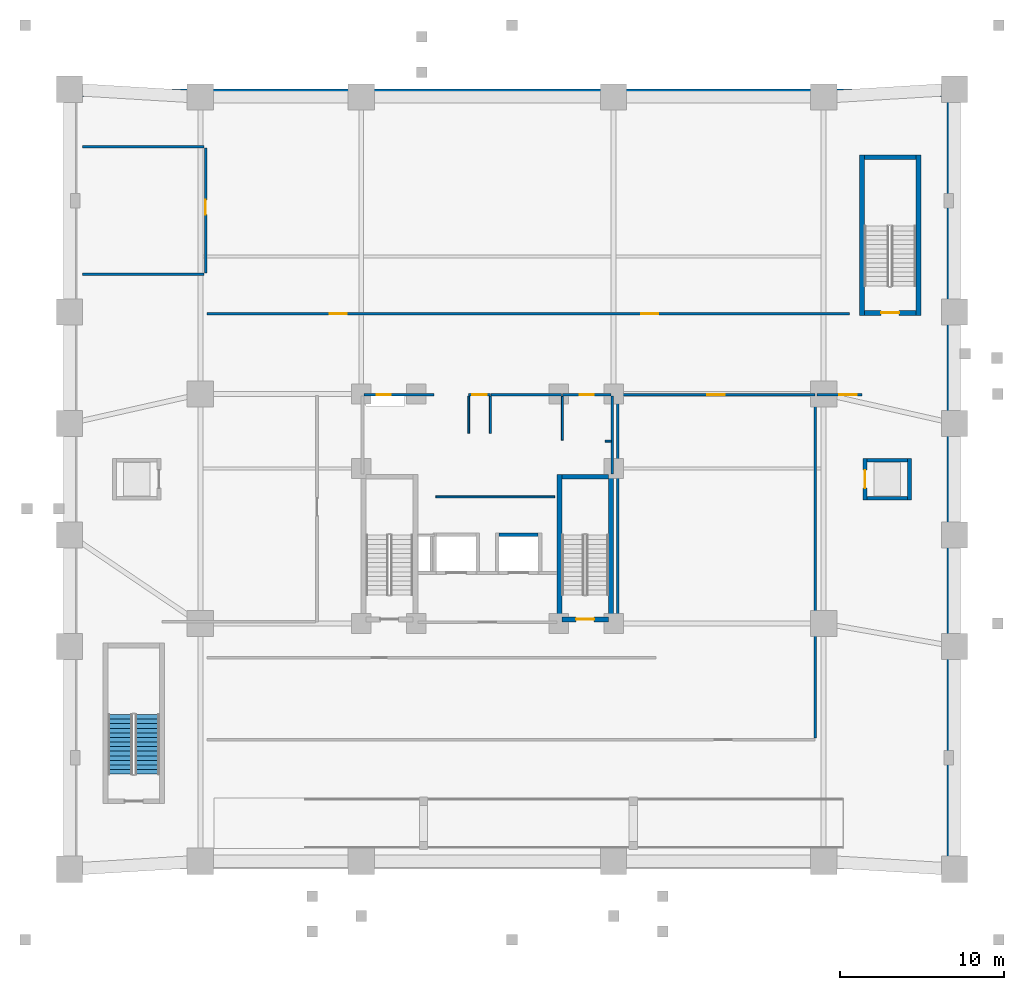
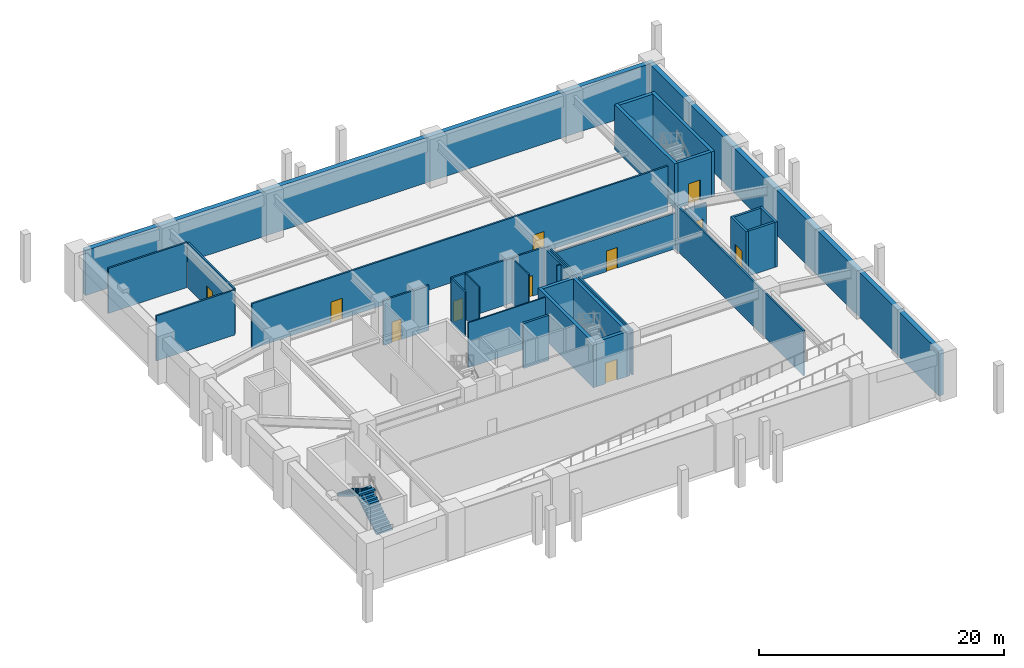
# One storey, part 3 of 8: 33 walls, 11 doors, 2 stair flights, 11 openings, 1 element without a shape of its own.
"""IFC4 building model written with IfcOpenShell, lengths in metres."""

from ifc_helpers import new_model, si_unit, derived_unit, direction, frame, frame_2d, origin, place, context, subcontext, project, spatial, polyline, rectangle, outline, extrude, material, layer, layer_set, type_object, element, fill, aggregate, save


model = new_model("IFC4")

# Units and contexts
model_context = context("Model", 3, precision=1e-05, world=origin(), true_north=direction((0.0, 1.0)))
body_context = subcontext(model_context, "Body", "Model", "MODEL_VIEW")
ifc_project = project(units=[si_unit("LENGTHUNIT", "METRE"), si_unit("AREAUNIT", "SQUARE_METRE"), si_unit("VOLUMEUNIT", "CUBIC_METRE"), si_unit("PLANEANGLEUNIT", "RADIAN"), si_unit("MASSUNIT", "GRAM", prefix="KILO"), derived_unit("THERMALTRANSMITTANCEUNIT", [(si_unit("MASSUNIT", "GRAM", prefix="KILO"), 1), (si_unit("TIMEUNIT", "SECOND"), -3), (si_unit("THERMODYNAMICTEMPERATUREUNIT", "KELVIN"), -1)])], contexts=[model_context])

# Site, building, storey
site_placement = place(None, origin())
site = spatial("IfcSite", under=ifc_project, at=site_placement, CompositionType="ELEMENT")
building_placement = place(site_placement, origin())
building = spatial("IfcBuilding", under=site, at=building_placement, Name="Korrvale Station Residences", CompositionType="ELEMENT")
storey_placement = place(building_placement, frame((0.0, 0.0, -4.800048828125)))
storey = spatial("IfcBuildingStorey", under=building, at=storey_placement, Name="B01", CompositionType="ELEMENT", Elevation=-4.800048828125)

# Walls
ifc_material_1 = material(Name="Concrete C70/85", Category="concrete")
ifc_layer_1 = layer(ifc_material_1, 0.300048828125, Name="Concrete C70/85")
ifc_layer_set_1 = layer_set([ifc_layer_1], Name="Concrete C70/85")
wall_type_1 = type_object("IfcWallType", Name="WAL-CORE-300-C70", PredefinedType="SHEAR", material=ifc_layer_set_1)
for number, where, z_axis, x_axis, name in (
    (1, (29.89990234375, 15.10009765625, 0.0), (0.0, 0.0, 1.0), (0.0, 1.0, 0.0), "B01 ST-2 Core Shear Wall West"),
    (2, (33.050048828125, 15.10009765625, 0.0), (0.0, 0.0, 1.0), (0.0, 1.0, 0.0), "B01 ST-2 Core Shear Wall East"),
):
    element("IfcWall", number, at=place(storey_placement, frame(where, z_axis=z_axis, x_axis=x_axis)), inside=storey, type_object=wall_type_1, Name=name, PredefinedType="SHEAR", context=body_context, shape_type="SweptSolid", body=[
        extrude(rectangle(XDim=9.0, YDim=0.300048828125, at=frame_2d((4.5, 0.0))), origin(), (0.0, 0.0, 1.0), 4.47998046875),
    ])
wall_1_placement = place(storey_placement, frame((30.050048828125, 23.949951171875, 0.0), z_axis=(0.0, 0.0, 1.0), x_axis=(1.0, 0.0, 0.0)))
element("IfcWall", 3, at=wall_1_placement, inside=storey, type_object=wall_type_1, Name="B01 ST-2 Core Shear Wall North", PredefinedType="SHEAR", context=body_context, shape_type="SweptSolid", body=[
    extrude(rectangle(XDim=2.849853515625, YDim=0.300048828125, at=frame_2d((1.4248046875, 0.0))), origin(), (0.0, 0.0, 1.0), 4.47998046875),
])

# Wall, opening, door
wall_2_placement = place(storey_placement, frame((30.050048828125, 15.25, 0.0), z_axis=(0.0, 0.0, 1.0), x_axis=(1.0, 0.0, 0.0)))
wall_2 = element("IfcWall", 4, at=wall_2_placement, inside=storey, type_object=wall_type_1, Name="B01 ST-2 Core Shear Wall South", PredefinedType="SHEAR", context=body_context, shape_type="SweptSolid", body=[
    extrude(rectangle(XDim=2.849853515625, YDim=0.300048828125, at=frame_2d((1.4248046875, 0.0))), origin(), (0.0, 0.0, 1.0), 4.47998046875),
])
opening_1_placement = place(wall_2_placement, frame((0.860107421875, 0.0, 0.0)))
opening_1 = element("IfcOpeningElement", 5, at=opening_1_placement, cuts=wall_2, Name="Opening SD-1100", PredefinedType="OPENING", context=body_context, shape_type="SweptSolid", body=[
    extrude(rectangle(XDim=1.10009765625, YDim=2.050048828125, at=frame_2d((0.550048828125, 1.02490234375))), frame((0.0, 0.16015625, 0.0), z_axis=(0.0, -1.0, 0.0), x_axis=(1.0, 0.0, 0.0)), (0.0, 0.0, 1.0), 0.320068359375),
])
ifc_material_2 = material(Name="Hollow-metal fire-rated stair door with closer", Category="steel")
door_type_1 = type_object("IfcDoorType", Name="DR-STAIR-1100", OperationType="NOTDEFINED", PredefinedType="DOOR", material=ifc_material_2)
door_1_placement = place(opening_1_placement, origin())
door_1 = element("IfcDoor", 6, at=door_1_placement, inside=storey, type_object=door_type_1, Name="B01 ST-2 Exit Stair Door", OperationType="SINGLE_SWING_RIGHT", OverallHeight=2.050048828125, OverallWidth=1.10009765625, PredefinedType="DOOR", context=body_context, shape_type="SweptSolid", body=[
    extrude(rectangle(XDim=1.10009765625, YDim=2.050048828125, at=frame_2d((0.550048828125, 1.02490234375))), frame((0.0, 0.02490234375, 0.0), z_axis=(0.0, -1.0, 0.0), x_axis=(1.0, 0.0, 0.0)), (0.0, 0.0, 1.0), 0.050048828125),
])
fill(opening_1, door_1)

# Walls
for number, where, z_axis, x_axis, name in (
    (7, (48.35009765625, 33.800048828125, 0.0), (0.0, 0.0, 1.0), (0.0, 1.0, 0.0), "B01 ST-4 Core Shear Wall West"),
    (8, (51.800048828125, 33.800048828125, 0.0), (0.0, 0.0, 1.0), (0.0, 1.0, 0.0), "B01 ST-4 Core Shear Wall East"),
):
    element("IfcWall", number, at=place(storey_placement, frame(where, z_axis=z_axis, x_axis=x_axis)), inside=storey, type_object=wall_type_1, Name=name, PredefinedType="SHEAR", context=body_context, shape_type="SweptSolid", body=[
        extrude(rectangle(XDim=9.800048828125, YDim=0.300048828125, at=frame_2d((4.89990234375, 0.0))), origin(), (0.0, 0.0, 1.0), 4.47998046875),
    ])
wall_3_placement = place(storey_placement, frame((48.5, 43.449951171875, 0.0), z_axis=(0.0, 0.0, 1.0), x_axis=(1.0, 0.0, 0.0)))
element("IfcWall", 9, at=wall_3_placement, inside=storey, type_object=wall_type_1, Name="B01 ST-4 Core Shear Wall North", PredefinedType="SHEAR", context=body_context, shape_type="SweptSolid", body=[
    extrude(rectangle(XDim=3.14990234375, YDim=0.300048828125, at=frame_2d((1.574951171875, 0.0))), origin(), (0.0, 0.0, 1.0), 4.47998046875),
])

# Wall, opening, door
wall_4_placement = place(storey_placement, frame((48.5, 33.949951171875, 0.0), z_axis=(0.0, 0.0, 1.0), x_axis=(1.0, 0.0, 0.0)))
wall_4 = element("IfcWall", 10, at=wall_4_placement, inside=storey, type_object=wall_type_1, Name="B01 ST-4 Core Shear Wall South", PredefinedType="SHEAR", context=body_context, shape_type="SweptSolid", body=[
    extrude(rectangle(XDim=3.14990234375, YDim=0.300048828125, at=frame_2d((1.574951171875, 0.0))), origin(), (0.0, 0.0, 1.0), 4.47998046875),
])
opening_2_placement = place(wall_4_placement, frame((1.02001953125, 0.0, 0.0)))
opening_2 = element("IfcOpeningElement", 11, at=opening_2_placement, cuts=wall_4, Name="Opening SD-1100", PredefinedType="OPENING", context=body_context, shape_type="SweptSolid", body=[
    extrude(rectangle(XDim=1.10009765625, YDim=2.050048828125, at=frame_2d((0.550048828125, 1.02490234375))), frame((0.0, 0.16015625, 0.0), z_axis=(0.0, -1.0, 0.0), x_axis=(1.0, 0.0, 0.0)), (0.0, 0.0, 1.0), 0.320068359375),
])
door_2_placement = place(opening_2_placement, origin())
door_2 = element("IfcDoor", 12, at=door_2_placement, inside=storey, type_object=door_type_1, Name="B01 ST-4 Exit Stair Door", OperationType="SINGLE_SWING_RIGHT", OverallHeight=2.050048828125, OverallWidth=1.10009765625, PredefinedType="DOOR", context=body_context, shape_type="SweptSolid", body=[
    extrude(rectangle(XDim=1.10009765625, YDim=2.050048828125, at=frame_2d((0.550048828125, 1.02490234375))), frame((0.0, 0.02490234375, 0.0), z_axis=(0.0, -1.0, 0.0), x_axis=(1.0, 0.0, 0.0)), (0.0, 0.0, 1.0), 0.050048828125),
])
fill(opening_2, door_2)

# Walls
ifc_material_3 = material(Name="Acoustic steel-stud gypsum board partition", Category="steel")
ifc_layer_2 = layer(ifc_material_3, 0.1201171875, Name="Acoustic steel-stud gypsum board partition")
ifc_layer_set_2 = layer_set([ifc_layer_2], Name="Acoustic steel-stud gypsum board partition")
wall_type_2 = type_object("IfcWallType", Name="WAL-PART-125", PredefinedType="PARTITIONING", material=ifc_layer_set_2)
for number, where, z_axis, x_axis, name in (
    (13, (24.360107421875, 26.60009765625, 0.0), (0.0, 0.0, 1.0), (0.0, 1.0, 0.0), "B01 Core Partition CW-PSG-W"),
    (14, (25.679931640625, 26.60009765625, 0.0), (0.0, 0.0, 1.0), (0.0, 1.0, 0.0), "B01 Core Partition CW-PSG-E"),
):
    element("IfcWall", number, at=place(storey_placement, frame(where, z_axis=z_axis, x_axis=x_axis)), inside=storey, type_object=wall_type_2, Name=name, PredefinedType="PARTITIONING", context=body_context, shape_type="SweptSolid", body=[
        extrude(rectangle(XDim=2.27001953125, YDim=0.1201171875, at=frame_2d((1.135009765625, 0.0))), origin(), (0.0, 0.0, 1.0), 4.47998046875),
    ])
wall_5_placement = place(storey_placement, frame((30.080078125, 26.179931640625, 0.0), z_axis=(0.0, 0.0, 1.0), x_axis=(0.0, 1.0, 0.0)))
element("IfcWall", 15, at=wall_5_placement, inside=storey, type_object=wall_type_2, Name="B01 Core Partition CW-CS-W", PredefinedType="PARTITIONING", context=body_context, shape_type="SweptSolid", body=[
    extrude(rectangle(XDim=2.68017578125, YDim=0.1201171875, at=frame_2d((1.340087890625, 0.0))), origin(), (0.0, 0.0, 1.0), 4.47998046875),
])
wall_6_placement = place(storey_placement, frame((32.679931640625, 26.1201171875, 0.0), z_axis=(0.0, 0.0, 1.0), x_axis=(1.0, 0.0, 0.0)))
element("IfcWall", 16, at=wall_6_placement, inside=storey, type_object=wall_type_2, Name="B01 Core Partition CW-CS-S", PredefinedType="PARTITIONING", context=body_context, shape_type="SweptSolid", body=[
    extrude(rectangle(XDim=0.380126953125, YDim=0.1201171875, at=frame_2d((0.18994140625, 0.0))), origin(), (0.0, 0.0, 1.0), 4.47998046875),
])
wall_7_placement = place(storey_placement, frame((22.35009765625, 22.719970703125, 0.0), z_axis=(0.0, 0.0, 1.0), x_axis=(1.0, 0.0, 0.0)))
element("IfcWall", 17, at=wall_7_placement, inside=storey, type_object=wall_type_2, Name="B01 Core Partition CW-BM-M", PredefinedType="PARTITIONING", context=body_context, shape_type="SweptSolid", body=[
    extrude(rectangle(XDim=7.25, YDim=0.1201171875, at=frame_2d((3.625, 0.0))), origin(), (0.0, 0.0, 1.0), 4.47998046875),
])
ifc_material_4 = material(Name="Fire-rated twin-stud gypsum and mineral wool shaftwall assembly", Category="gypsum")
ifc_layer_3 = layer(ifc_material_4, 0.159912109375, Name="Fire-rated twin-stud gypsum and mineral wool shaftwall assembly")
ifc_layer_set_3 = layer_set([ifc_layer_3], Name="Fire-rated twin-stud gypsum and mineral wool shaftwall assembly")
wall_type_3 = type_object("IfcWallType", Name="WAL-PART-200", PredefinedType="PARTITIONING", material=ifc_layer_set_3)
wall_8_placement = place(storey_placement, frame((33.1201171875, 24.1201171875, 0.0), z_axis=(0.0, 0.0, 1.0), x_axis=(0.0, 1.0, 0.0)))
element("IfcWall", 18, at=wall_8_placement, inside=storey, type_object=wall_type_3, Name="B01 Core Partition CW-E-N", PredefinedType="PARTITIONING", context=body_context, shape_type="SweptSolid", body=[
    extrude(rectangle(XDim=4.759765625, YDim=0.159912109375, at=frame_2d((2.3798828125, 0.0))), origin(), (0.0, 0.0, 1.0), 4.47998046875),
])

# Wall, opening, door
wall_9_placement = place(storey_placement, frame((24.360107421875, 28.949951171875, 0.0), z_axis=(0.0, 0.0, 1.0), x_axis=(1.0, 0.0, 0.0)))
wall_9 = element("IfcWall", 19, at=wall_9_placement, inside=storey, type_object=wall_type_3, Name="B01 Core Partition CW-LLOB-N", PredefinedType="PARTITIONING", context=body_context, shape_type="SweptSolid", body=[
    extrude(rectangle(XDim=1.31982421875, YDim=0.159912109375, at=frame_2d((0.659912109375, 0.0))), origin(), (0.0, 0.0, 1.0), 4.47998046875),
])
opening_3_placement = place(wall_9_placement, frame((0.2099609375, 0.0, 0.0)))
opening_3 = element("IfcOpeningElement", 20, at=opening_3_placement, cuts=wall_9, Name="Opening DI-900", PredefinedType="OPENING", context=body_context, shape_type="SweptSolid", body=[
    extrude(rectangle(XDim=0.89990234375, YDim=2.050048828125, at=frame_2d((0.449951171875, 1.02490234375))), frame((0.0, 0.08984375, 0.0), z_axis=(0.0, -1.0, 0.0), x_axis=(1.0, 0.0, 0.0)), (0.0, 0.0, 1.0), 0.179931640625),
])
ifc_material_5 = material(Name="Painted solid-core timber interior room door", Category="wood")
door_type_2 = type_object("IfcDoorType", Name="DR-INT-900", OperationType="NOTDEFINED", PredefinedType="DOOR", material=ifc_material_5)
door_3_placement = place(opening_3_placement, origin())
door_3 = element("IfcDoor", 21, at=door_3_placement, inside=storey, type_object=door_type_2, Name="B01 Central Hallway North Passage Door", OperationType="SINGLE_SWING_RIGHT", OverallHeight=2.050048828125, OverallWidth=0.89990234375, PredefinedType="DOOR", context=body_context, shape_type="SweptSolid", body=[
    extrude(rectangle(XDim=0.89990234375, YDim=2.050048828125, at=frame_2d((0.449951171875, 1.02490234375))), frame((0.0, 0.02490234375, 0.0), z_axis=(0.0, -1.0, 0.0), x_axis=(1.0, 0.0, 0.0)), (0.0, 0.0, 1.0), 0.050048828125),
])
fill(opening_3, door_3)

wall_10_placement = place(storey_placement, frame((17.9599609375, 28.949951171875, 0.0), z_axis=(0.0, 0.0, 1.0), x_axis=(1.0, 0.0, 0.0)))
wall_10 = element("IfcWall", 22, at=wall_10_placement, inside=storey, type_object=wall_type_3, Name="B01 Core Partition CW-NW", PredefinedType="PARTITIONING", context=body_context, shape_type="SweptSolid", body=[
    extrude(rectangle(XDim=4.2900390625, YDim=0.159912109375, at=frame_2d((2.14501953125, 0.0))), origin(), (0.0, 0.0, 1.0), 4.47998046875),
])
opening_4_placement = place(wall_10_placement, frame((0.794921875, 0.0, 0.0)))
opening_4 = element("IfcOpeningElement", 23, at=opening_4_placement, cuts=wall_10, Name="Opening DB-860", PredefinedType="OPENING", context=body_context, shape_type="SweptSolid", body=[
    extrude(rectangle(XDim=0.860107421875, YDim=2.050048828125, at=frame_2d((0.43017578125, 1.02490234375))), frame((0.0, 0.08984375, 0.0), z_axis=(0.0, -1.0, 0.0), x_axis=(1.0, 0.0, 0.0)), (0.0, 0.0, 1.0), 0.179931640625),
])
ifc_material_6 = material(Name="Moisture-resistant solid-core bathroom door", Category="timber")
door_type_3 = type_object("IfcDoorType", Name="DR-BATH-860", OperationType="NOTDEFINED", PredefinedType="DOOR", material=ifc_material_6)
door_4_placement = place(opening_4_placement, origin())
door_4 = element("IfcDoor", 24, at=door_4_placement, inside=storey, type_object=door_type_3, Name="B01 Electrical Riser Access Door", OperationType="SINGLE_SWING_LEFT", OverallHeight=2.050048828125, OverallWidth=0.860107421875, PredefinedType="DOOR", context=body_context, shape_type="SweptSolid", body=[
    extrude(rectangle(XDim=0.860107421875, YDim=2.050048828125, at=frame_2d((0.43017578125, 1.02490234375))), frame((0.0, 0.02490234375, 0.0), z_axis=(0.0, -1.0, 0.0), x_axis=(1.0, 0.0, 0.0)), (0.0, 0.0, 1.0), 0.050048828125),
])
fill(opening_4, door_4)

wall_11_placement = place(storey_placement, frame((30.080078125, 28.949951171875, 0.0), z_axis=(0.0, 0.0, 1.0), x_axis=(1.0, 0.0, 0.0)))
wall_11 = element("IfcWall", 25, at=wall_11_placement, inside=storey, type_object=wall_type_3, Name="B01 Core Partition CW-CS-N", PredefinedType="PARTITIONING", context=body_context, shape_type="SweptSolid", body=[
    extrude(rectangle(XDim=2.9599609375, YDim=0.159912109375, at=frame_2d((1.47998046875, 0.0))), origin(), (0.0, 0.0, 1.0), 4.47998046875),
])
opening_5_placement = place(wall_11_placement, frame((1.044921875, 0.0, 0.0)))
opening_5 = element("IfcOpeningElement", 26, at=opening_5_placement, cuts=wall_11, Name="Opening DB-860", PredefinedType="OPENING", context=body_context, shape_type="SweptSolid", body=[
    extrude(rectangle(XDim=0.860107421875, YDim=2.050048828125, at=frame_2d((0.43017578125, 1.02490234375))), frame((0.0, 0.08984375, 0.0), z_axis=(0.0, -1.0, 0.0), x_axis=(1.0, 0.0, 0.0)), (0.0, 0.0, 1.0), 0.179931640625),
])
door_5_placement = place(opening_5_placement, origin())
door_5 = element("IfcDoor", 27, at=door_5_placement, inside=storey, type_object=door_type_3, Name="B01 Core Equipment Room Door", OperationType="SINGLE_SWING_RIGHT", OverallHeight=2.050048828125, OverallWidth=0.860107421875, PredefinedType="DOOR", context=body_context, shape_type="SweptSolid", body=[
    extrude(rectangle(XDim=0.860107421875, YDim=2.050048828125, at=frame_2d((0.43017578125, 1.02490234375))), frame((0.0, 0.02490234375, 0.0), z_axis=(0.0, -1.0, 0.0), x_axis=(1.0, 0.0, 0.0)), (0.0, 0.0, 1.0), 0.050048828125),
])
fill(opening_5, door_5)

# Wall
wall_12_placement = place(storey_placement, frame((25.719970703125, 28.949951171875, 0.0), z_axis=(0.0, 0.0, 1.0), x_axis=(1.0, 0.0, 0.0)))
element("IfcWall", 28, at=wall_12_placement, inside=storey, type_object=wall_type_3, Name="B01 Core Partition CW-BM-N", PredefinedType="PARTITIONING", context=body_context, shape_type="SweptSolid", body=[
    extrude(rectangle(XDim=4.300048828125, YDim=0.159912109375, at=frame_2d((2.14990234375, 0.0))), origin(), (0.0, 0.0, 1.0), 4.47998046875),
])

# Wall, openings, doors
wall_13_placement = place(storey_placement, frame((8.39990234375, 33.89990234375, 0.0), z_axis=(0.0, 0.0, 1.0), x_axis=(1.0, 0.0, 0.0)))
wall_13 = element("IfcWall", 29, at=wall_13_placement, inside=storey, type_object=wall_type_3, Name="B01 Interior Partition W-SMC", PredefinedType="PARTITIONING", context=body_context, shape_type="SweptSolid", body=[
    extrude(rectangle(XDim=39.2001953125, YDim=0.159912109375, at=frame_2d((19.60009765625, 0.0))), origin(), (0.0, 0.0, 1.0), 4.47998046875),
])
opening_6_placement = place(wall_13_placement, frame((7.47509765625, 0.0, 0.0)))
opening_6 = element("IfcOpeningElement", 30, at=opening_6_placement, cuts=wall_13, Name="Opening FD-1050", PredefinedType="OPENING", context=body_context, shape_type="SweptSolid", body=[
    extrude(rectangle(XDim=1.050048828125, YDim=2.050048828125, at=frame_2d((0.52490234375, 1.02490234375))), frame((0.0, 0.08984375, 0.0), z_axis=(0.0, -1.0, 0.0), x_axis=(1.0, 0.0, 0.0)), (0.0, 0.0, 1.0), 0.179931640625),
])
opening_7_placement = place(wall_13_placement, frame((26.47509765625, 0.0, 0.0)))
opening_7 = element("IfcOpeningElement", 31, at=opening_7_placement, cuts=wall_13, Name="Opening FD-1050", PredefinedType="OPENING", context=body_context, shape_type="SweptSolid", body=[
    extrude(rectangle(XDim=1.050048828125, YDim=2.050048828125, at=frame_2d((0.52490234375, 1.02490234375))), frame((0.0, 0.08984375, 0.0), z_axis=(0.0, -1.0, 0.0), x_axis=(1.0, 0.0, 0.0)), (0.0, 0.0, 1.0), 0.179931640625),
])
ifc_material_7 = material(Name="Fire-rated mineral-core timber lobby door", Category="wood")
door_type_4 = type_object("IfcDoorType", Name="DR-CORE-1050", OperationType="NOTDEFINED", PredefinedType="DOOR", material=ifc_material_7)
door_6_placement = place(opening_6_placement, origin())
door_6 = element("IfcDoor", 32, at=door_6_placement, inside=storey, type_object=door_type_4, Name="B01 Subway Concourse West Fire Door", OperationType="SINGLE_SWING_LEFT", OverallHeight=2.050048828125, OverallWidth=1.050048828125, PredefinedType="DOOR", context=body_context, shape_type="SweptSolid", body=[
    extrude(rectangle(XDim=1.050048828125, YDim=2.050048828125, at=frame_2d((0.52490234375, 1.02490234375))), frame((0.0, 0.02490234375, 0.0), z_axis=(0.0, -1.0, 0.0), x_axis=(1.0, 0.0, 0.0)), (0.0, 0.0, 1.0), 0.050048828125),
])
fill(opening_6, door_6)
door_7_placement = place(opening_7_placement, origin())
door_7 = element("IfcDoor", 33, at=door_7_placement, inside=storey, type_object=door_type_4, Name="B01 Subway Concourse East Fire Door", OperationType="SINGLE_SWING_RIGHT", OverallHeight=2.050048828125, OverallWidth=1.050048828125, PredefinedType="DOOR", context=body_context, shape_type="SweptSolid", body=[
    extrude(rectangle(XDim=1.050048828125, YDim=2.050048828125, at=frame_2d((0.52490234375, 1.02490234375))), frame((0.0, 0.02490234375, 0.0), z_axis=(0.0, -1.0, 0.0), x_axis=(1.0, 0.0, 0.0)), (0.0, 0.0, 1.0), 0.050048828125),
])
fill(opening_7, door_7)

# Wall, opening, door
wall_14_placement = place(storey_placement, frame((8.300048828125, 36.39990234375, 0.0), z_axis=(0.0, 0.0, 1.0), x_axis=(0.0, 1.0, 0.0)))
wall_14 = element("IfcWall", 34, at=wall_14_placement, inside=storey, type_object=wall_type_3, Name="B01 Interior Partition W-SWC-E", PredefinedType="PARTITIONING", context=body_context, shape_type="SweptSolid", body=[
    extrude(rectangle(XDim=7.60009765625, YDim=0.159912109375, at=frame_2d((3.800048828125, 0.0))), origin(), (0.0, 0.0, 1.0), 4.47998046875),
])
opening_8_placement = place(wall_14_placement, frame((3.550048828125, 0.0, 0.0)))
opening_8 = element("IfcOpeningElement", 35, at=opening_8_placement, cuts=wall_14, Name="Opening DI-900", PredefinedType="OPENING", context=body_context, shape_type="SweptSolid", body=[
    extrude(rectangle(XDim=0.89990234375, YDim=2.050048828125, at=frame_2d((0.449951171875, 1.02490234375))), frame((0.0, 0.08984375, 0.0), z_axis=(0.0, -1.0, 0.0), x_axis=(1.0, 0.0, 0.0)), (0.0, 0.0, 1.0), 0.179931640625),
])
door_8_placement = place(opening_8_placement, origin())
door_8 = element("IfcDoor", 36, at=door_8_placement, inside=storey, type_object=door_type_2, Name="B01 Subway Washrooms Door", OperationType="SINGLE_SWING_LEFT", OverallHeight=2.050048828125, OverallWidth=0.89990234375, PredefinedType="DOOR", context=body_context, shape_type="SweptSolid", body=[
    extrude(rectangle(XDim=0.89990234375, YDim=2.050048828125, at=frame_2d((0.449951171875, 1.02490234375))), frame((0.0, 0.02490234375, 0.0), z_axis=(0.0, -1.0, 0.0), x_axis=(1.0, 0.0, 0.0)), (0.0, 0.0, 1.0), 0.050048828125),
])
fill(opening_8, door_8)

# Walls
for number, where, z_axis, x_axis, name in (
    (37, (0.800048828125, 44.10009765625, 0.0), (0.0, 0.0, 1.0), (1.0, 0.0, 0.0), "B01 Interior Partition W-SWC-N"),
    (38, (0.800048828125, 36.300048828125, 0.0), (0.0, 0.0, 1.0), (1.0, 0.0, 0.0), "B01 Interior Partition W-SWC-S"),
):
    element("IfcWall", number, at=place(storey_placement, frame(where, z_axis=z_axis, x_axis=x_axis)), inside=storey, type_object=wall_type_3, Name=name, PredefinedType="PARTITIONING", context=body_context, shape_type="SweptSolid", body=[
        extrude(rectangle(XDim=7.39990234375, YDim=0.159912109375, at=frame_2d((3.699951171875, 0.0))), origin(), (0.0, 0.0, 1.0), 4.47998046875),
    ])

# Wall, opening, door
wall_15_placement = place(storey_placement, frame((33.449951171875, 28.949951171875, 0.0), z_axis=(0.0, 0.0, 1.0), x_axis=(1.0, 0.0, 0.0)))
wall_15 = element("IfcWall", 39, at=wall_15_placement, inside=storey, type_object=wall_type_3, Name="B01 Interior Partition W-LDK-N", PredefinedType="PARTITIONING", context=body_context, shape_type="SweptSolid", body=[
    extrude(rectangle(XDim=12.050048828125, YDim=0.159912109375, at=frame_2d((6.02490234375, 0.0))), origin(), (0.0, 0.0, 1.0), 3.56494140625),
])
opening_9_placement = place(wall_15_placement, frame((5.47509765625, 0.0, 0.0)))
opening_9 = element("IfcOpeningElement", 40, at=opening_9_placement, cuts=wall_15, Name="Opening FD-1050", PredefinedType="OPENING", context=body_context, shape_type="SweptSolid", body=[
    extrude(rectangle(XDim=1.050048828125, YDim=2.050048828125, at=frame_2d((0.52490234375, 1.02490234375))), frame((0.0, 0.08984375, 0.0), z_axis=(0.0, -1.0, 0.0), x_axis=(1.0, 0.0, 0.0)), (0.0, 0.0, 1.0), 0.179931640625),
])
door_9_placement = place(opening_9_placement, origin())
door_9 = element("IfcDoor", 41, at=door_9_placement, inside=storey, type_object=door_type_4, Name="B01 Loading Dock Fire Door", OperationType="SINGLE_SWING_LEFT", OverallHeight=2.050048828125, OverallWidth=1.050048828125, PredefinedType="DOOR", context=body_context, shape_type="SweptSolid", body=[
    extrude(rectangle(XDim=1.050048828125, YDim=2.050048828125, at=frame_2d((0.52490234375, 1.02490234375))), frame((0.0, 0.02490234375, 0.0), z_axis=(0.0, -1.0, 0.0), x_axis=(1.0, 0.0, 0.0)), (0.0, 0.0, 1.0), 0.050048828125),
])
fill(opening_9, door_9)

# Walls
wall_16_placement = place(storey_placement, frame((33.449951171875, 15.10009765625, 0.0), z_axis=(0.0, 0.0, 1.0), x_axis=(0.0, 1.0, 0.0)))
element("IfcWall", 42, at=wall_16_placement, inside=storey, type_object=wall_type_3, Name="B01 Interior Partition W-LDK-W", PredefinedType="PARTITIONING", context=body_context, shape_type="SweptSolid", body=[
    extrude(rectangle(XDim=13.77978515625, YDim=0.159912109375, at=frame_2d((6.889892578125, 0.0))), origin(), (0.0, 0.0, 1.0), 4.47998046875),
])
wall_17_placement = place(storey_placement, frame((45.5, 8.0, 0.0), z_axis=(0.0, 0.0, 1.0), x_axis=(0.0, 1.0, 0.0)))
element("IfcWall", 43, at=wall_17_placement, inside=storey, type_object=wall_type_3, Name="B01 Interior Partition W-MEP-W", PredefinedType="PARTITIONING", context=body_context, shape_type="SweptSolid", body=[
    extrude(rectangle(XDim=20.949951171875, YDim=0.159912109375, at=frame_2d((10.47509765625, 0.0))), origin(), (0.0, 0.0, 1.0), 4.47998046875),
])

# Wall, opening, door
wall_18_placement = place(storey_placement, frame((45.60009765625, 28.949951171875, 0.0), z_axis=(0.0, 0.0, 1.0), x_axis=(1.0, 0.0, 0.0)))
wall_18 = element("IfcWall", 44, at=wall_18_placement, inside=storey, type_object=wall_type_3, Name="B01 Interior Partition W-MEP-N", PredefinedType="PARTITIONING", context=body_context, shape_type="SweptSolid", body=[
    extrude(rectangle(XDim=2.75, YDim=0.159912109375, at=frame_2d((1.375, 0.0))), origin(), (0.0, 0.0, 1.0), 3.56494140625),
])
opening_10_placement = place(wall_18_placement, frame((1.3798828125, 0.0, 0.0)))
opening_10 = element("IfcOpeningElement", 45, at=opening_10_placement, cuts=wall_18, Name="Opening FD-1050", PredefinedType="OPENING", context=body_context, shape_type="SweptSolid", body=[
    extrude(rectangle(XDim=1.050048828125, YDim=2.050048828125, at=frame_2d((0.52490234375, 1.02490234375))), frame((0.0, 0.08984375, 0.0), z_axis=(0.0, -1.0, 0.0), x_axis=(1.0, 0.0, 0.0)), (0.0, 0.0, 1.0), 0.179931640625),
])
door_10_placement = place(opening_10_placement, origin())
door_10 = element("IfcDoor", 46, at=door_10_placement, inside=storey, type_object=door_type_4, Name="B01 Subway Fan Plant Door", OperationType="SINGLE_SWING_RIGHT", OverallHeight=2.050048828125, OverallWidth=1.050048828125, PredefinedType="DOOR", context=body_context, shape_type="SweptSolid", body=[
    extrude(rectangle(XDim=1.050048828125, YDim=2.050048828125, at=frame_2d((0.52490234375, 1.02490234375))), frame((0.0, 0.02490234375, 0.0), z_axis=(0.0, -1.0, 0.0), x_axis=(1.0, 0.0, 0.0)), (0.0, 0.0, 1.0), 0.050048828125),
])
fill(opening_10, door_10)

# Walls
ifc_material_8 = material(Name="Concrete C50/60", Category="concrete")
ifc_layer_4 = layer(ifc_material_8, 0.449951171875, Name="Concrete C50/60")
ifc_layer_set_4 = layer_set([ifc_layer_4], Name="Concrete C50/60")
wall_type_4 = type_object("IfcWallType", Name="WAL-RET-450", PredefinedType="USERDEFINED", material=ifc_layer_set_4)
wall_19_placement = place(storey_placement, frame((0.449951171875, 47.375, 0.0), z_axis=(0.0, 0.0, 1.0), x_axis=(1.0, 0.0, 0.0)))
element("IfcWall", 47, at=wall_19_placement, inside=storey, type_object=wall_type_4, Name="B01 Perimeter Basement Retaining Wall N", ObjectType="RETAININGWALL", PredefinedType="USERDEFINED", context=body_context, shape_type="SweptSolid", body=[
    extrude(rectangle(XDim=53.10009765625, YDim=0.449951171875, at=frame_2d((26.550048828125, 0.0))), origin(), (0.0, 0.0, 1.0), 4.47998046875),
])
wall_20_placement = place(storey_placement, frame((53.77490234375, 47.60009765625, 0.0), z_axis=(0.0, 0.0, 1.0), x_axis=(0.0, -1.0, 0.0)))
element("IfcWall", 48, at=wall_20_placement, inside=storey, type_object=wall_type_4, Name="B01 Perimeter Basement Retaining Wall E", ObjectType="RETAININGWALL", PredefinedType="USERDEFINED", context=body_context, shape_type="SweptSolid", body=[
    extrude(rectangle(XDim=47.60009765625, YDim=0.449951171875, at=frame_2d((23.800048828125, 0.0))), origin(), (0.0, 0.0, 1.0), 4.47998046875),
])
ifc_layer_5 = layer(ifc_material_1, 0.219970703125, Name="Concrete C70/85")
ifc_layer_set_5 = layer_set([ifc_layer_5], Name="Concrete C70/85")
wall_type_5 = type_object("IfcWallType", Name="WAL-SHAFT-220-C70", PredefinedType="SHEAR", material=ifc_layer_set_5)
wall_21_placement = place(storey_placement, frame((26.199951171875, 20.409912109375, 0.0), z_axis=(0.0, 0.0, 1.0), x_axis=(1.0, 0.0, 0.0)))
element("IfcWall", 49, at=wall_21_placement, inside=storey, type_object=wall_type_5, Name="B01 Elevator FFL-2 Hoistway Wall North", PredefinedType="SHEAR", context=body_context, shape_type="SweptSolid", body=[
    extrude(rectangle(XDim=2.400146484375, YDim=0.219970703125, at=frame_2d((1.2001953125, 0.0))), origin(), (0.0, 0.0, 1.0), 4.47998046875),
])
for number, where, z_axis, x_axis, name in (
    (50, (48.64990234375, 22.639892578125, 0.0), (0.0, 0.0, 1.0), (1.0, 0.0, 0.0), "B01 Elevator TL-2 Hoistway Wall South"),
    (51, (48.64990234375, 24.9599609375, 0.0), (0.0, 0.0, 1.0), (1.0, 0.0, 0.0), "B01 Elevator TL-2 Hoistway Wall North"),
):
    element("IfcWall", number, at=place(storey_placement, frame(where, z_axis=z_axis, x_axis=x_axis)), inside=storey, type_object=wall_type_5, Name=name, PredefinedType="SHEAR", context=body_context, shape_type="SweptSolid", body=[
        extrude(rectangle(XDim=2.5, YDim=0.219970703125, at=frame_2d((1.25, 0.0))), origin(), (0.0, 0.0, 1.0), 4.47998046875),
    ])

# Wall, opening, door
wall_22_placement = place(storey_placement, frame((48.5400390625, 22.530029296875, 0.0), z_axis=(0.0, 0.0, 1.0), x_axis=(0.0, 1.0, 0.0)))
wall_22 = element("IfcWall", 52, at=wall_22_placement, inside=storey, type_object=wall_type_5, Name="B01 Elevator TL-2 Hoistway Wall West", PredefinedType="SHEAR", context=body_context, shape_type="SweptSolid", body=[
    extrude(rectangle(XDim=2.5400390625, YDim=0.219970703125, at=frame_2d((1.27001953125, 0.0))), origin(), (0.0, 0.0, 1.0), 4.47998046875),
])
opening_11_placement = place(wall_22_placement, frame((0.719970703125, 0.0, 0.0)))
opening_11 = element("IfcOpeningElement", 53, at=opening_11_placement, cuts=wall_22, Name="Opening LD-1100", PredefinedType="OPENING", context=body_context, shape_type="SweptSolid", body=[
    extrude(rectangle(XDim=1.10009765625, YDim=2.14990234375, at=frame_2d((0.550048828125, 1.074951171875))), frame((0.0, 0.1201171875, 0.0), z_axis=(0.0, -1.0, 0.0), x_axis=(1.0, 0.0, 0.0)), (0.0, 0.0, 1.0), 0.239990234375),
])
ifc_material_9 = material(Name="Brushed stainless-steel elevator landing sliding door", Category="steel")
door_type_5 = type_object("IfcDoorType", Name="DR-LIFT-1100", OperationType="SLIDING_TO_LEFT", PredefinedType="DOOR", material=ifc_material_9)
door_11_placement = place(opening_11_placement, origin())
door_11 = element("IfcDoor", 54, at=door_11_placement, inside=storey, type_object=door_type_5, Name="B01 Elevator TL-2 Sliding Landing Door", OperationType="SLIDING_TO_LEFT", OverallHeight=2.14990234375, OverallWidth=1.10009765625, PredefinedType="DOOR", context=body_context, shape_type="SweptSolid", body=[
    extrude(rectangle(XDim=1.10009765625, YDim=2.14990234375, at=frame_2d((0.550048828125, 1.074951171875))), frame((0.0, 0.02490234375, 0.0), z_axis=(0.0, -1.0, 0.0), x_axis=(1.0, 0.0, 0.0)), (0.0, 0.0, 1.0), 0.050048828125),
])
fill(opening_11, door_11)

# Wall
wall_23_placement = place(storey_placement, frame((51.260009765625, 22.530029296875, 0.0), z_axis=(0.0, 0.0, 1.0), x_axis=(0.0, 1.0, 0.0)))
element("IfcWall", 55, at=wall_23_placement, inside=storey, type_object=wall_type_5, Name="B01 Elevator TL-2 Hoistway Wall East", PredefinedType="SHEAR", context=body_context, shape_type="SweptSolid", body=[
    extrude(rectangle(XDim=2.5400390625, YDim=0.219970703125, at=frame_2d((1.27001953125, 0.0))), origin(), (0.0, 0.0, 1.0), 4.47998046875),
])

# Stair, stair flights
stair_type = type_object("IfcStairType", Name="STR-DL-1500-28R-1714", PredefinedType="HALF_TURN_STAIR", material=ifc_material_8)
stair_placement = place(storey_placement, origin())
stair = element("IfcStair", 56, at=stair_placement, inside=storey, type_object=stair_type, Name="B01 Station Exit Stair 3", PredefinedType="HALF_TURN_STAIR")
stair_flight_type = type_object("IfcStairFlightType", Name="FLT-DL-1500-28R-1714", PredefinedType="STRAIGHT", material=ifc_material_8)
stair_flight_1_placement = place(storey_placement, frame((4.75, 5.800048828125, 0.0), z_axis=(0.0, 0.0, 1.0), x_axis=(0.0, 1.0, 0.0)))
stair_flight_1 = element("IfcStairFlight", 57, at=stair_flight_1_placement, type_object=stair_flight_type, Name="ST-3 flight 1", NumberOfRisers=14, NumberOfTreads=13, PredefinedType="STRAIGHT", RiserHeight=0.171428571, TreadLength=0.28, context=body_context, shape_type="SweptSolid", body=[
    extrude(outline(polyline([(0.0, 0.0), (0.0, 0.17138671875), (0.280029296875, 0.17138671875), (0.280029296875, 0.3427734375), (0.56005859375, 0.3427734375), (0.56005859375, 0.514404296875), (0.840087890625, 0.514404296875), (0.840087890625, 0.685791015625), (1.1201171875, 0.685791015625), (1.1201171875, 0.857177734375), (1.39990234375, 0.857177734375), (1.39990234375, 1.028564453125), (1.679931640625, 1.028564453125), (1.679931640625, 1.199951171875), (1.9599609375, 1.199951171875), (1.9599609375, 1.371337890625), (2.239990234375, 1.371337890625), (2.239990234375, 1.54296875), (2.52001953125, 1.54296875), (2.52001953125, 1.71435546875), (2.800048828125, 1.71435546875), (2.800048828125, 1.8857421875), (3.080078125, 1.8857421875), (3.080078125, 2.05712890625), (3.360107421875, 2.05712890625), (3.360107421875, 2.228515625), (3.639892578125, 2.228515625), (3.639892578125, 2.39990234375), (3.639892578125, 2.052734375), (0.287109375, 0.0), (0.0, 0.0)])), frame((0.0, 0.75, 0.0), z_axis=(0.0, -1.0, 0.0), x_axis=(1.0, 0.0, 0.0)), (0.0, 0.0, 1.0), 1.5),
])
stair_flight_2_placement = place(storey_placement, frame((3.10009765625, 9.43994140625, 2.400146484375), z_axis=(0.0, 0.0, 1.0), x_axis=(0.0, -1.0, 0.0)))
stair_flight_2 = element("IfcStairFlight", 58, at=stair_flight_2_placement, type_object=stair_flight_type, Name="ST-3 flight 2", NumberOfRisers=14, NumberOfTreads=13, PredefinedType="STRAIGHT", RiserHeight=0.171428571, TreadLength=0.28, context=body_context, shape_type="SweptSolid", body=[
    extrude(outline(polyline([(0.0, 0.0), (0.0, 0.17138671875), (0.280029296875, 0.17138671875), (0.280029296875, 0.3427734375), (0.56005859375, 0.3427734375), (0.56005859375, 0.514404296875), (0.840087890625, 0.514404296875), (0.840087890625, 0.685791015625), (1.1201171875, 0.685791015625), (1.1201171875, 0.857177734375), (1.39990234375, 0.857177734375), (1.39990234375, 1.028564453125), (1.679931640625, 1.028564453125), (1.679931640625, 1.199951171875), (1.9599609375, 1.199951171875), (1.9599609375, 1.371337890625), (2.239990234375, 1.371337890625), (2.239990234375, 1.54296875), (2.52001953125, 1.54296875), (2.52001953125, 1.71435546875), (2.800048828125, 1.71435546875), (2.800048828125, 1.8857421875), (3.080078125, 1.8857421875), (3.080078125, 2.05712890625), (3.360107421875, 2.05712890625), (3.360107421875, 2.228515625), (3.639892578125, 2.228515625), (3.639892578125, 2.39990234375), (3.639892578125, 2.052734375), (0.287109375, 0.0), (0.0, 0.0)])), frame((0.0, 0.75, 0.0), z_axis=(0.0, -1.0, 0.0), x_axis=(1.0, 0.0, 0.0)), (0.0, 0.0, 1.0), 1.5),
])
aggregate(stair, [stair_flight_1, stair_flight_2])

save(model, "model.ifc")
